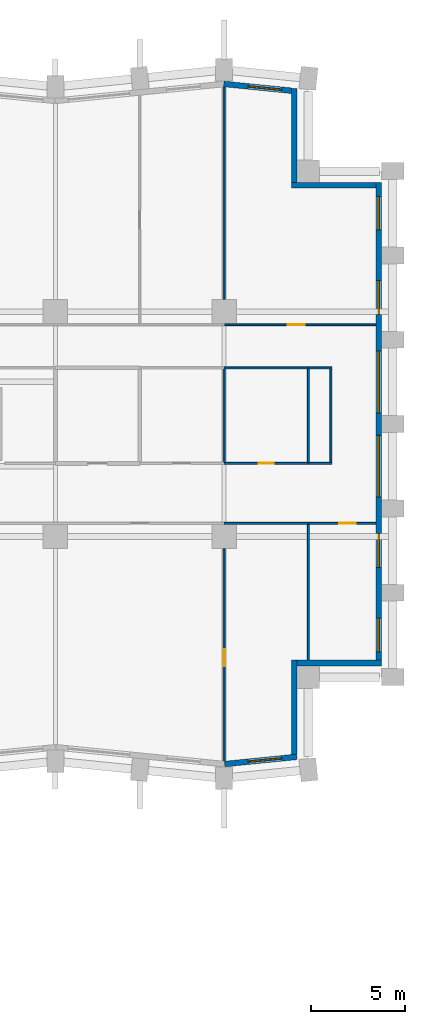
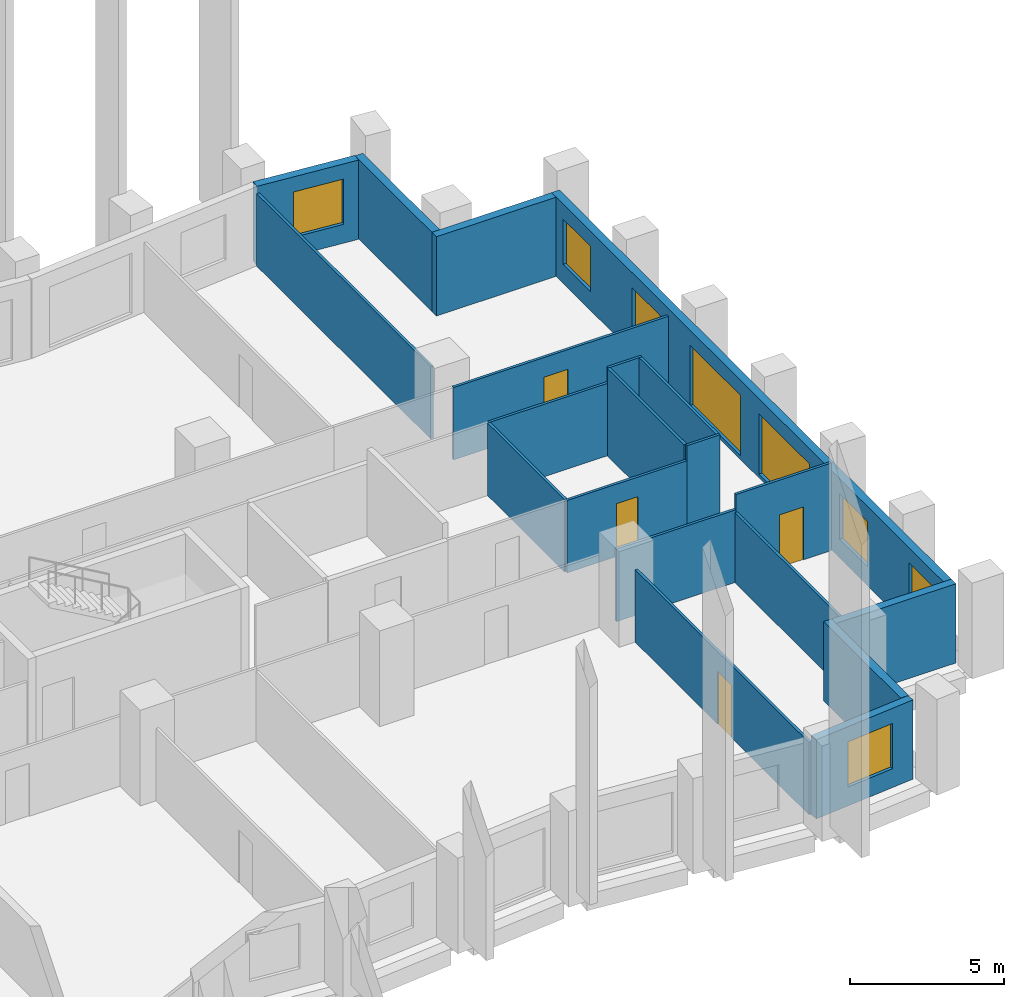
# One storey, part 9 of 12: 20 walls, 8 windows, 4 doors, 12 openings.
"""IFC4 building model written with IfcOpenShell, lengths in metres."""

from ifc_helpers import new_model, si_unit, direction, frame, frame_2d, origin, place, context, subcontext, project, spatial, rectangle, extrude, material, layer, layer_set, type_object, element, fill, save


model = new_model("IFC4")

# Units and contexts
model_context = context("Model", 3, precision=1e-05, world=origin(), true_north=direction((0.0, 1.0)))
body_context = subcontext(model_context, "Body", "Model", "MODEL_VIEW")
ifc_project = project(units=[si_unit("LENGTHUNIT", "METRE"), si_unit("AREAUNIT", "SQUARE_METRE"), si_unit("VOLUMEUNIT", "CUBIC_METRE"), si_unit("PLANEANGLEUNIT", "RADIAN"), si_unit("MASSUNIT", "GRAM", prefix="KILO")], contexts=[model_context])

# Site, building, storey
site_placement = place(None, origin())
site = spatial("IfcSite", under=ifc_project, at=site_placement, CompositionType="ELEMENT")
building_placement = place(site_placement, origin())
building = spatial("IfcBuilding", under=site, at=building_placement, Name="Brondeck Convention Tower", CompositionType="ELEMENT")
storey_placement = place(building_placement, frame((0.0, 0.0, 88.5)))
storey = spatial("IfcBuildingStorey", under=building, at=storey_placement, Name="L20", CompositionType="ELEMENT", Elevation=88.5)

# Wall, opening, window
ifc_material_1 = material(Name="Precast concrete C50/60 bronze finish", Category="concrete")
ifc_layer_1 = layer(ifc_material_1, 0.070068359375, Name="Bronze precast facing")
ifc_material_2 = material(Name="Mineral wool")
ifc_layer_2 = layer(ifc_material_2, 0.159912109375, Name="Insulation")
ifc_material_3 = material(Name="Concrete C35/45", Category="concrete")
ifc_layer_3 = layer(ifc_material_3, 0.070068359375, Name="Backing")
ifc_layer_set_1 = layer_set([ifc_layer_1, ifc_layer_2, ifc_layer_3], Name="External infill wall, precast concrete C50/60 bronze facing")
wall_type_1 = type_object("IfcWallType", Name="External infill wall, precast concrete C50/60 bronze facing", PredefinedType="SOLIDWALL", material=ifc_layer_set_1)
wall_1_placement = place(storey_placement, frame((66.885009765625, 27.2421875, 0.0), z_axis=(0.0, 0.0, 1.0), x_axis=(-0.995037814081, -0.099497480111, 0.0)))
wall_1 = element("IfcWall", 1, at=wall_1_placement, inside=storey, type_object=wall_type_1, Name="ENV-EW-L20-P0-A-S-06", PredefinedType="SOLIDWALL", context=body_context, shape_type="SweptSolid", body=[
    extrude(rectangle(XDim=3.87451171875, YDim=0.300048828125, at=frame_2d((1.937255859375, 0.0))), origin(), (0.0, 0.0, 1.0), 3.14990234375),
])
opening_1_placement = place(wall_1_placement, frame((0.818359375, 0.0, 0.75)))
opening_1 = element("IfcOpeningElement", 2, at=opening_1_placement, cuts=wall_1, Name="Opening W10", PredefinedType="OPENING", context=body_context, shape_type="SweptSolid", body=[
    extrude(rectangle(XDim=1.800048828125, YDim=1.800048828125, at=frame_2d((0.89990234375, 0.89990234375))), frame((0.0, 0.159912109375, 0.0), z_axis=(0.0, -1.0, 0.0), x_axis=(1.0, 0.0, 0.0)), (0.0, 0.0, 1.0), 0.320068359375),
])
ifc_material_4 = material(Name="Bronze tinted double glazing", Category="glass")
window_type_1 = type_object("IfcWindowType", Name="Punched window, bronze tinted", PartitioningType="SINGLE_PANEL", PredefinedType="WINDOW", material=ifc_material_4)
window_1_placement = place(opening_1_placement, origin())
window_1 = element("IfcWindow", 3, at=window_1_placement, inside=storey, type_object=window_type_1, Name="ENV-WN-L20-P0-A-S-06", OverallHeight=1.800048828125, OverallWidth=1.800048828125, PartitioningType="SINGLE_PANEL", PredefinedType="WINDOW", context=body_context, shape_type="SweptSolid", body=[
    extrude(rectangle(XDim=1.800048828125, YDim=1.800048828125, at=frame_2d((0.89990234375, 0.89990234375))), frame((0.0, 0.030029296875, 0.0), z_axis=(0.0, -1.0, 0.0), x_axis=(1.0, 0.0, 0.0)), (0.0, 0.0, 1.0), 0.06005859375),
])
fill(opening_1, window_1)

# Walls
wall_2_placement = place(storey_placement, frame((66.75, 32.39990234375, 0.0), z_axis=(0.0, 0.0, 1.0), x_axis=(0.0, -1.0, 0.0)))
element("IfcWall", 4, at=wall_2_placement, inside=storey, type_object=wall_type_1, Name="ENV-EW-L20-P0-NC-SEA72-01", PredefinedType="SOLIDWALL", context=body_context, shape_type="SweptSolid", body=[
    extrude(rectangle(XDim=5.019287109375, YDim=0.300048828125, at=frame_2d((2.509765625, 0.0))), origin(), (0.0, 0.0, 1.0), 3.14990234375),
])
wall_3_placement = place(storey_placement, frame((71.39990234375, 32.25, 0.0), z_axis=(0.0, 0.0, 1.0), x_axis=(-1.0, 0.0, 0.0)))
element("IfcWall", 5, at=wall_3_placement, inside=storey, type_object=wall_type_1, Name="ENV-EW-L20-P0-NC-SEA72-02", PredefinedType="SOLIDWALL", context=body_context, shape_type="SweptSolid", body=[
    extrude(rectangle(XDim=4.5, YDim=0.300048828125, at=frame_2d((2.25, 0.0))), origin(), (0.0, 0.0, 1.0), 3.14990234375),
])

# Wall, openings, windows
wall_4_placement = place(storey_placement, frame((71.25, 57.89990234375, 0.0), z_axis=(0.0, 0.0, 1.0), x_axis=(0.0, -1.0, 0.0)))
wall_4 = element("IfcWall", 6, at=wall_4_placement, inside=storey, type_object=wall_type_1, Name="ENV-EW-L20-P0-A-E72-01", PredefinedType="SOLIDWALL", context=body_context, shape_type="SweptSolid", body=[
    extrude(rectangle(XDim=25.501953125, YDim=0.300048828125, at=frame_2d((12.7509765625, 0.0))), origin(), (0.0, 0.0, 1.0), 3.14990234375),
])
opening_2_placement = place(wall_4_placement, frame((0.75, 0.0, 0.75)))
opening_2 = element("IfcOpeningElement", 7, at=opening_2_placement, cuts=wall_4, Name="Opening W10", PredefinedType="OPENING", context=body_context, shape_type="SweptSolid", body=[
    extrude(rectangle(XDim=1.800048828125, YDim=1.800048828125, at=frame_2d((0.89990234375, 0.89990234375))), frame((0.0, 0.159912109375, 0.0), z_axis=(0.0, -1.0, 0.0), x_axis=(1.0, 0.0, 0.0)), (0.0, 0.0, 1.0), 0.320068359375),
])
opening_3_placement = place(wall_4_placement, frame((5.25, 0.0, 0.75)))
opening_3 = element("IfcOpeningElement", 8, at=opening_3_placement, cuts=wall_4, Name="Opening W10", PredefinedType="OPENING", context=body_context, shape_type="SweptSolid", body=[
    extrude(rectangle(XDim=1.800048828125, YDim=1.800048828125, at=frame_2d((0.89990234375, 0.89990234375))), frame((0.0, 0.159912109375, 0.0), z_axis=(0.0, -1.0, 0.0), x_axis=(1.0, 0.0, 0.0)), (0.0, 0.0, 1.0), 0.320068359375),
])
opening_4_placement = place(wall_4_placement, frame((9.0, 0.0, 0.14990234375)))
opening_4 = element("IfcOpeningElement", 9, at=opening_4_placement, cuts=wall_4, Name="Opening W9", PredefinedType="OPENING", context=body_context, shape_type="SweptSolid", body=[
    extrude(rectangle(XDim=3.300048828125, YDim=2.39990234375, at=frame_2d((1.64990234375, 1.199951171875))), frame((0.0, 0.159912109375, 0.0), z_axis=(0.0, -1.0, 0.0), x_axis=(1.0, 0.0, 0.0)), (0.0, 0.0, 1.0), 0.320068359375),
])
opening_5_placement = place(wall_4_placement, frame((13.5, 0.0, 0.14990234375)))
opening_5 = element("IfcOpeningElement", 10, at=opening_5_placement, cuts=wall_4, Name="Opening W9", PredefinedType="OPENING", context=body_context, shape_type="SweptSolid", body=[
    extrude(rectangle(XDim=3.300048828125, YDim=2.39990234375, at=frame_2d((1.64990234375, 1.199951171875))), frame((0.0, 0.159912109375, 0.0), z_axis=(0.0, -1.0, 0.0), x_axis=(1.0, 0.0, 0.0)), (0.0, 0.0, 1.0), 0.320068359375),
])
opening_6_placement = place(wall_4_placement, frame((18.75, 0.0, 0.75)))
opening_6 = element("IfcOpeningElement", 11, at=opening_6_placement, cuts=wall_4, Name="Opening W10", PredefinedType="OPENING", context=body_context, shape_type="SweptSolid", body=[
    extrude(rectangle(XDim=1.800048828125, YDim=1.800048828125, at=frame_2d((0.89990234375, 0.89990234375))), frame((0.0, 0.159912109375, 0.0), z_axis=(0.0, -1.0, 0.0), x_axis=(1.0, 0.0, 0.0)), (0.0, 0.0, 1.0), 0.320068359375),
])
opening_7_placement = place(wall_4_placement, frame((23.25, 0.0, 0.75)))
opening_7 = element("IfcOpeningElement", 12, at=opening_7_placement, cuts=wall_4, Name="Opening W10", PredefinedType="OPENING", context=body_context, shape_type="SweptSolid", body=[
    extrude(rectangle(XDim=1.800048828125, YDim=1.800048828125, at=frame_2d((0.89990234375, 0.89990234375))), frame((0.0, 0.159912109375, 0.0), z_axis=(0.0, -1.0, 0.0), x_axis=(1.0, 0.0, 0.0)), (0.0, 0.0, 1.0), 0.320068359375),
])
window_type_2 = type_object("IfcWindowType", Name="Glazed flute window, bronze tinted", PartitioningType="SINGLE_PANEL", PredefinedType="WINDOW", material=ifc_material_4)
window_2_placement = place(opening_4_placement, origin())
window_2 = element("IfcWindow", 13, at=window_2_placement, inside=storey, type_object=window_type_2, Name="ENV-WN-L20-P0-A-E72-04", OverallHeight=2.39990234375, OverallWidth=3.300048828125, PartitioningType="SINGLE_PANEL", PredefinedType="WINDOW", context=body_context, shape_type="SweptSolid", body=[
    extrude(rectangle(XDim=3.300048828125, YDim=2.39990234375, at=frame_2d((1.64990234375, 1.199951171875))), frame((0.0, 0.030029296875, 0.0), z_axis=(0.0, -1.0, 0.0), x_axis=(1.0, 0.0, 0.0)), (0.0, 0.0, 1.0), 0.06005859375),
])
fill(opening_4, window_2)
window_3_placement = place(opening_5_placement, origin())
window_3 = element("IfcWindow", 14, at=window_3_placement, inside=storey, type_object=window_type_2, Name="ENV-WN-L20-P0-A-E72-03", OverallHeight=2.39990234375, OverallWidth=3.300048828125, PartitioningType="SINGLE_PANEL", PredefinedType="WINDOW", context=body_context, shape_type="SweptSolid", body=[
    extrude(rectangle(XDim=3.300048828125, YDim=2.39990234375, at=frame_2d((1.64990234375, 1.199951171875))), frame((0.0, 0.030029296875, 0.0), z_axis=(0.0, -1.0, 0.0), x_axis=(1.0, 0.0, 0.0)), (0.0, 0.0, 1.0), 0.06005859375),
])
fill(opening_5, window_3)
window_4_placement = place(opening_2_placement, origin())
window_4 = element("IfcWindow", 15, at=window_4_placement, inside=storey, type_object=window_type_1, Name="ENV-WN-L20-P0-A-E72-06", OverallHeight=1.800048828125, OverallWidth=1.800048828125, PartitioningType="SINGLE_PANEL", PredefinedType="WINDOW", context=body_context, shape_type="SweptSolid", body=[
    extrude(rectangle(XDim=1.800048828125, YDim=1.800048828125, at=frame_2d((0.89990234375, 0.89990234375))), frame((0.0, 0.030029296875, 0.0), z_axis=(0.0, -1.0, 0.0), x_axis=(1.0, 0.0, 0.0)), (0.0, 0.0, 1.0), 0.06005859375),
])
fill(opening_2, window_4)
window_5_placement = place(opening_3_placement, origin())
window_5 = element("IfcWindow", 16, at=window_5_placement, inside=storey, type_object=window_type_1, Name="ENV-WN-L20-P0-A-E72-05", OverallHeight=1.800048828125, OverallWidth=1.800048828125, PartitioningType="SINGLE_PANEL", PredefinedType="WINDOW", context=body_context, shape_type="SweptSolid", body=[
    extrude(rectangle(XDim=1.800048828125, YDim=1.800048828125, at=frame_2d((0.89990234375, 0.89990234375))), frame((0.0, 0.030029296875, 0.0), z_axis=(0.0, -1.0, 0.0), x_axis=(1.0, 0.0, 0.0)), (0.0, 0.0, 1.0), 0.06005859375),
])
fill(opening_3, window_5)
window_6_placement = place(opening_6_placement, origin())
window_6 = element("IfcWindow", 17, at=window_6_placement, inside=storey, type_object=window_type_1, Name="ENV-WN-L20-P0-A-E72-02", OverallHeight=1.800048828125, OverallWidth=1.800048828125, PartitioningType="SINGLE_PANEL", PredefinedType="WINDOW", context=body_context, shape_type="SweptSolid", body=[
    extrude(rectangle(XDim=1.800048828125, YDim=1.800048828125, at=frame_2d((0.89990234375, 0.89990234375))), frame((0.0, 0.030029296875, 0.0), z_axis=(0.0, -1.0, 0.0), x_axis=(1.0, 0.0, 0.0)), (0.0, 0.0, 1.0), 0.06005859375),
])
fill(opening_6, window_6)
window_7_placement = place(opening_7_placement, origin())
window_7 = element("IfcWindow", 18, at=window_7_placement, inside=storey, type_object=window_type_1, Name="ENV-WN-L20-P0-A-E72-01", OverallHeight=1.800048828125, OverallWidth=1.800048828125, PartitioningType="SINGLE_PANEL", PredefinedType="WINDOW", context=body_context, shape_type="SweptSolid", body=[
    extrude(rectangle(XDim=1.800048828125, YDim=1.800048828125, at=frame_2d((0.89990234375, 0.89990234375))), frame((0.0, 0.030029296875, 0.0), z_axis=(0.0, -1.0, 0.0), x_axis=(1.0, 0.0, 0.0)), (0.0, 0.0, 1.0), 0.06005859375),
])
fill(opening_7, window_7)

# Walls
wall_5_placement = place(storey_placement, frame((66.60009765625, 57.75, 0.0), z_axis=(0.0, 0.0, 1.0), x_axis=(1.0, 0.0, 0.0)))
element("IfcWall", 19, at=wall_5_placement, inside=storey, type_object=wall_type_1, Name="ENV-EW-L20-P0-NC-NEA72-01", PredefinedType="SOLIDWALL", context=body_context, shape_type="SweptSolid", body=[
    extrude(rectangle(XDim=4.5, YDim=0.300048828125, at=frame_2d((2.25, 0.0))), origin(), (0.0, 0.0, 1.0), 3.14990234375),
])
wall_6_placement = place(storey_placement, frame((66.75, 62.906982421875, 0.0), z_axis=(0.0, 0.0, 1.0), x_axis=(0.0, -1.0, 0.0)))
element("IfcWall", 20, at=wall_6_placement, inside=storey, type_object=wall_type_1, Name="ENV-EW-L20-P0-NC-NEA72-02", PredefinedType="SOLIDWALL", context=body_context, shape_type="SweptSolid", body=[
    extrude(rectangle(XDim=5.009033203125, YDim=0.300048828125, at=frame_2d((2.50439453125, 0.0))), origin(), (0.0, 0.0, 1.0), 3.14990234375),
])

# Wall, opening, window
wall_7_placement = place(storey_placement, frame((62.985107421875, 63.147705078125, 0.0), z_axis=(0.0, 0.0, 1.0), x_axis=(0.995038521274, -0.099490407478, 0.0)))
wall_7 = element("IfcWall", 21, at=wall_7_placement, inside=storey, type_object=wall_type_1, Name="ENV-EW-L20-P0-A-N-14", PredefinedType="SOLIDWALL", context=body_context, shape_type="SweptSolid", body=[
    extrude(rectangle(XDim=3.6318359375, YDim=0.300048828125, at=frame_2d((1.81591796875, 0.0))), origin(), (0.0, 0.0, 1.0), 3.14990234375),
])
opening_8_placement = place(wall_7_placement, frame((1.30126953125, 0.0, 0.75)))
opening_8 = element("IfcOpeningElement", 22, at=opening_8_placement, cuts=wall_7, Name="Opening W10", PredefinedType="OPENING", context=body_context, shape_type="SweptSolid", body=[
    extrude(rectangle(XDim=1.800048828125, YDim=1.800048828125, at=frame_2d((0.89990234375, 0.89990234375))), frame((0.0, 0.159912109375, 0.0), z_axis=(0.0, -1.0, 0.0), x_axis=(1.0, 0.0, 0.0)), (0.0, 0.0, 1.0), 0.320068359375),
])
window_8_placement = place(opening_8_placement, origin())
window_8 = element("IfcWindow", 23, at=window_8_placement, inside=storey, type_object=window_type_1, Name="ENV-WN-L20-P0-A-N-14", OverallHeight=1.800048828125, OverallWidth=1.800048828125, PartitioningType="SINGLE_PANEL", PredefinedType="WINDOW", context=body_context, shape_type="SweptSolid", body=[
    extrude(rectangle(XDim=1.800048828125, YDim=1.800048828125, at=frame_2d((0.89990234375, 0.89990234375))), frame((0.0, 0.030029296875, 0.0), z_axis=(0.0, -1.0, 0.0), x_axis=(1.0, 0.0, 0.0)), (0.0, 0.0, 1.0), 0.06005859375),
])
fill(opening_8, window_8)

# Wall, opening, door
ifc_material_5 = material(Name="Gypsum board partition on steel studs", Category="steel")
ifc_layer_4 = layer(ifc_material_5, 0.10009765625)
ifc_layer_set_2 = layer_set([ifc_layer_4], Name="Room partition 100")
wall_type_2 = type_object("IfcWallType", Name="Room partition 100", PredefinedType="PARTITIONING", material=ifc_layer_set_2)
wall_8_placement = place(storey_placement, frame((63.0, 38.344970703125, 0.0), z_axis=(0.0, 0.0, 1.0), x_axis=(0.0, -1.0, 0.0)))
wall_8 = element("IfcWall", 24, at=wall_8_placement, inside=storey, type_object=wall_type_2, Name="FLR-L20-W030", PredefinedType="PARTITIONING", context=body_context, shape_type="SweptSolid", body=[
    extrude(rectangle(XDim=11.320556640625, YDim=0.10009765625, at=frame_2d((5.66015625, 0.0))), origin(), (0.0, 0.0, 1.0), 2.8798828125),
])
opening_9_placement = place(wall_8_placement, frame((5.3701171875, 0.0, 0.0)))
opening_9 = element("IfcOpeningElement", 25, at=opening_9_placement, cuts=wall_8, Name="Opening OF-A-013", PredefinedType="OPENING", context=body_context, shape_type="SweptSolid", body=[
    extrude(rectangle(XDim=0.89990234375, YDim=2.10009765625, at=frame_2d((0.449951171875, 1.050048828125))), frame((0.0, 0.06005859375, 0.0), z_axis=(0.0, -1.0, 0.0), x_axis=(1.0, 0.0, 0.0)), (0.0, 0.0, 1.0), 0.1201171875),
])
ifc_material_6 = material(Name="Solid timber door leaf", Category="wood")
door_type_1 = type_object("IfcDoorType", Name="Single door 900", OperationType="NOTDEFINED", PredefinedType="DOOR", material=ifc_material_6)
door_1_placement = place(opening_9_placement, origin())
door_1 = element("IfcDoor", 26, at=door_1_placement, inside=storey, type_object=door_type_1, Name="Door OF-A-013", OperationType="SINGLE_SWING_LEFT", OverallHeight=2.10009765625, OverallWidth=0.89990234375, PredefinedType="DOOR", context=body_context, shape_type="SweptSolid", body=[
    extrude(rectangle(XDim=0.89990234375, YDim=2.10009765625, at=frame_2d((0.449951171875, 1.050048828125))), frame((0.0, 0.02490234375, 0.0), z_axis=(0.0, -1.0, 0.0), x_axis=(1.0, 0.0, 0.0)), (0.0, 0.0, 1.0), 0.050048828125),
])
fill(opening_9, door_1)

# Walls
wall_9_placement = place(storey_placement, frame((67.5, 39.64990234375, 0.0), z_axis=(0.0, 0.0, 1.0), x_axis=(0.0, -1.0, 0.0)))
element("IfcWall", 27, at=wall_9_placement, inside=storey, type_object=wall_type_2, Name="FLR-L20-W032", PredefinedType="PARTITIONING", context=body_context, shape_type="SweptSolid", body=[
    extrude(rectangle(XDim=7.22998046875, YDim=0.10009765625, at=frame_2d((3.614990234375, 0.0))), origin(), (0.0, 0.0, 1.0), 2.780029296875),
])
wall_10_placement = place(storey_placement, frame((67.5, 39.699951171875, 0.0), z_axis=(0.0, 0.0, 1.0), x_axis=(-1.0, 0.0, 0.0)))
element("IfcWall", 28, at=wall_10_placement, inside=storey, type_object=wall_type_2, Name="FLR-L20-W036", PredefinedType="PARTITIONING", context=body_context, shape_type="SweptSolid", body=[
    extrude(rectangle(XDim=4.5, YDim=0.10009765625, at=frame_2d((2.25, 0.0))), origin(), (0.0, 0.0, 1.0), 2.8798828125),
])

# Wall, opening, door
wall_11_placement = place(storey_placement, frame((71.080078125, 39.699951171875, 0.0), z_axis=(0.0, 0.0, 1.0), x_axis=(-1.0, 0.0, 0.0)))
wall_11 = element("IfcWall", 29, at=wall_11_placement, inside=storey, type_object=wall_type_2, Name="FLR-L20-W037", PredefinedType="PARTITIONING", context=body_context, shape_type="SweptSolid", body=[
    extrude(rectangle(XDim=3.580078125, YDim=0.10009765625, at=frame_2d((1.7900390625, 0.0))), origin(), (0.0, 0.0, 1.0), 3.47998046875),
])
opening_10_placement = place(wall_11_placement, frame((1.048095703125, 0.0, 0.0)))
opening_10 = element("IfcOpeningElement", 30, at=opening_10_placement, cuts=wall_11, Name="Opening OF-A-014", PredefinedType="OPENING", context=body_context, shape_type="SweptSolid", body=[
    extrude(rectangle(XDim=0.89990234375, YDim=2.10009765625, at=frame_2d((0.449951171875, 1.050048828125))), frame((0.0, 0.06005859375, 0.0), z_axis=(0.0, -1.0, 0.0), x_axis=(1.0, 0.0, 0.0)), (0.0, 0.0, 1.0), 0.1201171875),
])
door_2_placement = place(opening_10_placement, origin())
door_2 = element("IfcDoor", 31, at=door_2_placement, inside=storey, type_object=door_type_1, Name="Door OF-A-014", OperationType="SINGLE_SWING_LEFT", OverallHeight=2.10009765625, OverallWidth=0.89990234375, PredefinedType="DOOR", context=body_context, shape_type="SweptSolid", body=[
    extrude(rectangle(XDim=0.89990234375, YDim=2.10009765625, at=frame_2d((0.449951171875, 1.050048828125))), frame((0.0, 0.02490234375, 0.0), z_axis=(0.0, -1.0, 0.0), x_axis=(1.0, 0.0, 0.0)), (0.0, 0.0, 1.0), 0.050048828125),
])
fill(opening_10, door_2)

wall_12_placement = place(storey_placement, frame((63.0, 42.89990234375, 0.0), z_axis=(0.0, 0.0, 1.0), x_axis=(1.0, 0.0, 0.0)))
wall_12 = element("IfcWall", 32, at=wall_12_placement, inside=storey, type_object=wall_type_2, Name="FLR-L20-W043", PredefinedType="PARTITIONING", context=body_context, shape_type="SweptSolid", body=[
    extrude(rectangle(XDim=4.5, YDim=0.10009765625, at=frame_2d((2.25, 0.0))), origin(), (0.0, 0.0, 1.0), 2.8798828125),
])
opening_11_placement = place(wall_12_placement, frame((1.85009765625, 0.0, 0.0)))
opening_11 = element("IfcOpeningElement", 33, at=opening_11_placement, cuts=wall_12, Name="Opening OF-A-009", PredefinedType="OPENING", context=body_context, shape_type="SweptSolid", body=[
    extrude(rectangle(XDim=0.800048828125, YDim=2.10009765625, at=frame_2d((0.39990234375, 1.050048828125))), frame((0.0, 0.06005859375, 0.0), z_axis=(0.0, -1.0, 0.0), x_axis=(1.0, 0.0, 0.0)), (0.0, 0.0, 1.0), 0.1201171875),
])
ifc_material_7 = material(Name="Steel service door leaf", Category="steel")
door_type_2 = type_object("IfcDoorType", Name="Service door 800", OperationType="NOTDEFINED", PredefinedType="DOOR", material=ifc_material_7)
door_3_placement = place(opening_11_placement, origin())
door_3 = element("IfcDoor", 34, at=door_3_placement, inside=storey, type_object=door_type_2, Name="Door OF-A-009", OperationType="SINGLE_SWING_RIGHT", OverallHeight=2.10009765625, OverallWidth=0.800048828125, PredefinedType="DOOR", context=body_context, shape_type="SweptSolid", body=[
    extrude(rectangle(XDim=0.800048828125, YDim=2.10009765625, at=frame_2d((0.39990234375, 1.050048828125))), frame((0.0, 0.02490234375, 0.0), z_axis=(0.0, -1.0, 0.0), x_axis=(1.0, 0.0, 0.0)), (0.0, 0.0, 1.0), 0.050048828125),
])
fill(opening_11, door_3)

# Walls
wall_13_placement = place(storey_placement, frame((67.5, 42.89990234375, 0.0), z_axis=(0.0, 0.0, 1.0), x_axis=(1.0, 0.0, 0.0)))
element("IfcWall", 35, at=wall_13_placement, inside=storey, type_object=wall_type_2, Name="FLR-L20-W044", PredefinedType="PARTITIONING", context=body_context, shape_type="SweptSolid", body=[
    extrude(rectangle(XDim=1.25, YDim=0.10009765625, at=frame_2d((0.625, 0.0))), origin(), (0.0, 0.0, 1.0), 3.47998046875),
])
wall_14_placement = place(storey_placement, frame((68.699951171875, 42.949951171875, 0.0), z_axis=(0.0, 0.0, 1.0), x_axis=(0.0, 1.0, 0.0)))
element("IfcWall", 36, at=wall_14_placement, inside=storey, type_object=wall_type_2, Name="FLR-L20-W046", PredefinedType="PARTITIONING", context=body_context, shape_type="SweptSolid", body=[
    extrude(rectangle(XDim=5.0, YDim=0.10009765625, at=frame_2d((2.5, 0.0))), origin(), (0.0, 0.0, 1.0), 3.47998046875),
])
wall_15_placement = place(storey_placement, frame((63.0, 47.949951171875, 0.0), z_axis=(0.0, 0.0, 1.0), x_axis=(0.0, -1.0, 0.0)))
element("IfcWall", 37, at=wall_15_placement, inside=storey, type_object=wall_type_2, Name="FLR-L20-W057", PredefinedType="PARTITIONING", context=body_context, shape_type="SweptSolid", body=[
    extrude(rectangle(XDim=5.0, YDim=0.10009765625, at=frame_2d((2.5, 0.0))), origin(), (0.0, 0.0, 1.0), 2.8798828125),
])
wall_16_placement = place(storey_placement, frame((67.5, 47.949951171875, 0.0), z_axis=(0.0, 0.0, 1.0), x_axis=(0.0, -1.0, 0.0)))
element("IfcWall", 38, at=wall_16_placement, inside=storey, type_object=wall_type_2, Name="FLR-L20-W058", PredefinedType="PARTITIONING", context=body_context, shape_type="SweptSolid", body=[
    extrude(rectangle(XDim=5.0, YDim=0.10009765625, at=frame_2d((2.5, 0.0))), origin(), (0.0, 0.0, 1.0), 3.47998046875),
])
wall_17_placement = place(storey_placement, frame((67.5, 48.0, 0.0), z_axis=(0.0, 0.0, 1.0), x_axis=(-1.0, 0.0, 0.0)))
element("IfcWall", 39, at=wall_17_placement, inside=storey, type_object=wall_type_2, Name="FLR-L20-W066", PredefinedType="PARTITIONING", context=body_context, shape_type="SweptSolid", body=[
    extrude(rectangle(XDim=4.5, YDim=0.10009765625, at=frame_2d((2.25, 0.0))), origin(), (0.0, 0.0, 1.0), 2.8798828125),
])
wall_18_placement = place(storey_placement, frame((68.75, 48.0, 0.0), z_axis=(0.0, 0.0, 1.0), x_axis=(-1.0, 0.0, 0.0)))
element("IfcWall", 40, at=wall_18_placement, inside=storey, type_object=wall_type_2, Name="FLR-L20-W067", PredefinedType="PARTITIONING", context=body_context, shape_type="SweptSolid", body=[
    extrude(rectangle(XDim=1.25, YDim=0.10009765625, at=frame_2d((0.625, 0.0))), origin(), (0.0, 0.0, 1.0), 3.47998046875),
])

# Wall, opening, door
wall_19_placement = place(storey_placement, frame((63.0, 50.300048828125, 0.0), z_axis=(0.0, 0.0, 1.0), x_axis=(1.0, 0.0, 0.0)))
wall_19 = element("IfcWall", 41, at=wall_19_placement, inside=storey, type_object=wall_type_2, Name="FLR-L20-W072", PredefinedType="PARTITIONING", context=body_context, shape_type="SweptSolid", body=[
    extrude(rectangle(XDim=8.080078125, YDim=0.10009765625, at=frame_2d((4.0400390625, 0.0))), origin(), (0.0, 0.0, 1.0), 2.8798828125),
])
opening_12_placement = place(wall_19_placement, frame((3.39892578125, 0.0, 0.0)))
opening_12 = element("IfcOpeningElement", 42, at=opening_12_placement, cuts=wall_19, Name="Opening OF-A-017", PredefinedType="OPENING", context=body_context, shape_type="SweptSolid", body=[
    extrude(rectangle(XDim=0.89990234375, YDim=2.10009765625, at=frame_2d((0.449951171875, 1.050048828125))), frame((0.0, 0.06005859375, 0.0), z_axis=(0.0, -1.0, 0.0), x_axis=(1.0, 0.0, 0.0)), (0.0, 0.0, 1.0), 0.1201171875),
])
door_4_placement = place(opening_12_placement, origin())
door_4 = element("IfcDoor", 43, at=door_4_placement, inside=storey, type_object=door_type_1, Name="Door OF-A-017", OperationType="SINGLE_SWING_LEFT", OverallHeight=2.10009765625, OverallWidth=0.89990234375, PredefinedType="DOOR", context=body_context, shape_type="SweptSolid", body=[
    extrude(rectangle(XDim=0.89990234375, YDim=2.10009765625, at=frame_2d((0.449951171875, 1.050048828125))), frame((0.0, 0.02490234375, 0.0), z_axis=(0.0, -1.0, 0.0), x_axis=(1.0, 0.0, 0.0)), (0.0, 0.0, 1.0), 0.050048828125),
])
fill(opening_12, door_4)

# Wall
wall_20_placement = place(storey_placement, frame((63.0, 62.9755859375, 0.0), z_axis=(0.0, 0.0, 1.0), x_axis=(0.0, -1.0, 0.0)))
element("IfcWall", 44, at=wall_20_placement, inside=storey, type_object=wall_type_2, Name="FLR-L20-W081", PredefinedType="PARTITIONING", context=body_context, shape_type="SweptSolid", body=[
    extrude(rectangle(XDim=11.320556640625, YDim=0.10009765625, at=frame_2d((5.66015625, 0.0))), origin(), (0.0, 0.0, 1.0), 2.8798828125),
])

save(model, "model.ifc")
